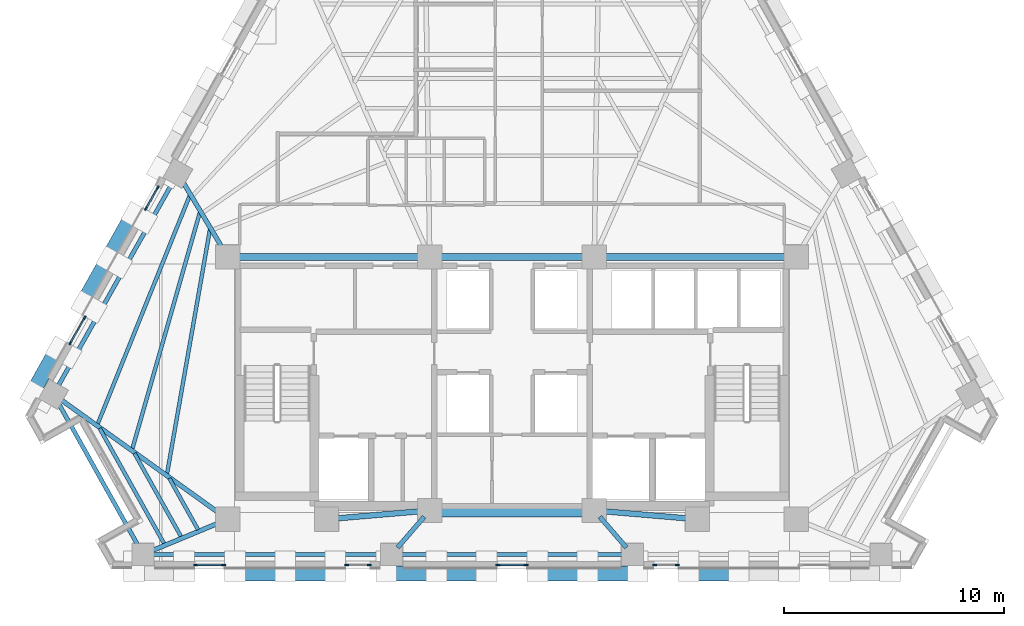
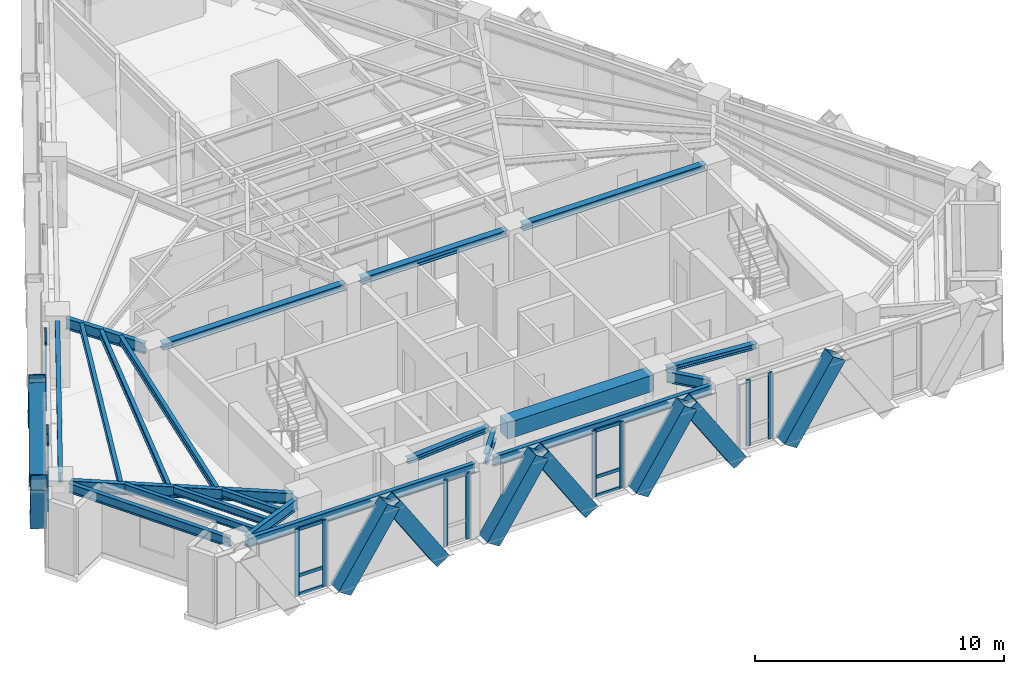
# One storey, part 2 of 13: 34 members, 21 beams, 6 elements without a shape of their own.
"""IFC4 building model written with IfcOpenShell, lengths in metres."""

from ifc_helpers import new_model, si_unit, direction, frame, origin, origin_2d, place, context, subcontext, project, spatial, rectangle, hollow_rectangle, i_section, extrude, material, material_profile, profile_set, type_object, element, aggregate, save


model = new_model("IFC4")

# Units and contexts
model_context = context("Model", 3, precision=1e-05, world=origin(), true_north=direction((0.0, 1.0)))
body_context = subcontext(model_context, "Body", "Model", "MODEL_VIEW")
ifc_project = project(units=[si_unit("LENGTHUNIT", "METRE"), si_unit("AREAUNIT", "SQUARE_METRE"), si_unit("VOLUMEUNIT", "CUBIC_METRE"), si_unit("PLANEANGLEUNIT", "RADIAN"), si_unit("MASSUNIT", "GRAM", prefix="KILO")], contexts=[model_context])

# Site, building, storey
site_placement = place(None, origin())
site = spatial("IfcSite", under=ifc_project, at=site_placement, CompositionType="ELEMENT")
building_placement = place(site_placement, origin())
building = spatial("IfcBuilding", under=site, at=building_placement, Name="Quenlor Broadcast Tower", CompositionType="ELEMENT")
storey_placement = place(building_placement, frame((0.0, 0.0, 147.5)))
storey = spatial("IfcBuildingStorey", under=building, at=storey_placement, Name="L40", CompositionType="ELEMENT", Elevation=147.5)

# Curtain wall, members
ifc_material_1 = material(Name="Architectural Terracotta and Low-E Glazing", Category="masonry")
curtain_wall_type = type_object("IfcCurtainWallType", Name="Unitised Terracotta Curtain Wall System Z3", PredefinedType="NOTDEFINED", material=ifc_material_1)
curtain_wall_1_placement = place(storey_placement, origin())
curtain_wall_1 = element("IfcCurtainWall", 1, at=curtain_wall_1_placement, inside=storey, type_object=curtain_wall_type, Name="L40 Curtain Wall CW3 (L40-SA-G2)", PredefinedType="NOTDEFINED")
ifc_material_2 = material(Name="Aluminium 6063-T6", Category="aluminium")
ifc_material_profile_1 = material_profile(ifc_material_2, rectangle(XDim=0.070068359375, YDim=0.18994140625, at=origin_2d()))
ifc_profile_set_1 = profile_set([ifc_material_profile_1], Name="Aluminium 6063-T6 MULL70x190")
member_type_1 = type_object("IfcMemberType", Name="CW3 Aluminium Mullion MULL_CW3", PredefinedType="MULLION", material=ifc_profile_set_1)
member_1_placement = place(storey_placement, frame((7.52197265625, -18.824951171875, 0.0), z_axis=(0.0, 0.0, 1.0), x_axis=(0.0, -1.0, 0.0)))
member_1 = element("IfcMember", 2, at=member_1_placement, type_object=member_type_1, Name="CW3 mullion 1", PredefinedType="MULLION", context=body_context, shape_type="SweptSolid", body=[
    extrude(rectangle(XDim=0.070068359375, YDim=0.18994140625, at=origin_2d()), origin(), (0.0, 0.0, 1.0), 3.25),
])
member_2_placement = place(storey_placement, frame((6.5009765625, -18.824951171875, 0.0), z_axis=(0.0, 0.0, 1.0), x_axis=(0.0, -1.0, 0.0)))
member_2 = element("IfcMember", 3, at=member_2_placement, type_object=member_type_1, Name="CW3 mullion 2", PredefinedType="MULLION", context=body_context, shape_type="SweptSolid", body=[
    extrude(rectangle(XDim=0.070068359375, YDim=0.18994140625, at=origin_2d()), origin(), (0.0, 0.0, 1.0), 3.25),
])
aggregate(curtain_wall_1, [member_1, member_2])

curtain_wall_2_placement = place(storey_placement, origin())
curtain_wall_2 = element("IfcCurtainWall", 4, at=curtain_wall_2_placement, inside=storey, type_object=curtain_wall_type, Name="L40 Curtain Wall CW3 (L40-SC-G1)", PredefinedType="NOTDEFINED")
member_3_placement = place(storey_placement, frame((-6.5009765625, -18.824951171875, 0.0), z_axis=(0.0, 0.0, 1.0), x_axis=(0.0, -1.0, 0.0)))
member_3 = element("IfcMember", 5, at=member_3_placement, type_object=member_type_1, Name="CW3 mullion 1", PredefinedType="MULLION", context=body_context, shape_type="SweptSolid", body=[
    extrude(rectangle(XDim=0.070068359375, YDim=0.18994140625, at=origin_2d()), origin(), (0.0, 0.0, 1.0), 3.25),
])
member_4_placement = place(storey_placement, frame((-7.52197265625, -18.824951171875, 0.0), z_axis=(0.0, 0.0, 1.0), x_axis=(0.0, -1.0, 0.0)))
member_4 = element("IfcMember", 6, at=member_4_placement, type_object=member_type_1, Name="CW3 mullion 2", PredefinedType="MULLION", context=body_context, shape_type="SweptSolid", body=[
    extrude(rectangle(XDim=0.070068359375, YDim=0.18994140625, at=origin_2d()), origin(), (0.0, 0.0, 1.0), 3.25),
])
aggregate(curtain_wall_2, [member_3, member_4])

curtain_wall_3_placement = place(storey_placement, origin())
curtain_wall_3 = element("IfcCurtainWall", 7, at=curtain_wall_3_placement, inside=storey, type_object=curtain_wall_type, Name="L40 Curtain Wall CW3 (L40-SC-G2)", PredefinedType="NOTDEFINED")
member_5_placement = place(storey_placement, frame((-13.14208984375, -18.824951171875, 0.0), z_axis=(0.0, 0.0, 1.0), x_axis=(0.0, -1.0, 0.0)))
member_5 = element("IfcMember", 8, at=member_5_placement, type_object=member_type_1, Name="CW3 mullion 1", PredefinedType="MULLION", context=body_context, shape_type="SweptSolid", body=[
    extrude(rectangle(XDim=0.070068359375, YDim=0.18994140625, at=origin_2d()), origin(), (0.0, 0.0, 1.0), 3.25),
])
member_6_placement = place(storey_placement, frame((-14.409912109375, -18.824951171875, 0.0), z_axis=(0.0, 0.0, 1.0), x_axis=(0.0, -1.0, 0.0)))
member_6 = element("IfcMember", 9, at=member_6_placement, type_object=member_type_1, Name="CW3 mullion 2", PredefinedType="MULLION", context=body_context, shape_type="SweptSolid", body=[
    extrude(rectangle(XDim=0.070068359375, YDim=0.18994140625, at=origin_2d()), origin(), (0.0, 0.0, 1.0), 3.25),
])

curtain_wall_4_placement = place(storey_placement, origin())
curtain_wall_4 = element("IfcCurtainWall", 10, at=curtain_wall_4_placement, inside=storey, type_object=curtain_wall_type, Name="L40 Curtain Wall CW3 (L40-S-G1)", PredefinedType="NOTDEFINED")
member_7_placement = place(storey_placement, frame((0.634033203125, -18.824951171875, 0.0), z_axis=(0.0, 0.0, 1.0), x_axis=(0.0, -1.0, 0.0)))
member_7 = element("IfcMember", 11, at=member_7_placement, type_object=member_type_1, Name="CW3 mullion 1", PredefinedType="MULLION", context=body_context, shape_type="SweptSolid", body=[
    extrude(rectangle(XDim=0.070068359375, YDim=0.18994140625, at=origin_2d()), origin(), (0.0, 0.0, 1.0), 3.25),
])
member_8_placement = place(storey_placement, frame((-0.634033203125, -18.824951171875, 0.0), z_axis=(0.0, 0.0, 1.0), x_axis=(0.0, -1.0, 0.0)))
member_8 = element("IfcMember", 12, at=member_8_placement, type_object=member_type_1, Name="CW3 mullion 2", PredefinedType="MULLION", context=body_context, shape_type="SweptSolid", body=[
    extrude(rectangle(XDim=0.070068359375, YDim=0.18994140625, at=origin_2d()), origin(), (0.0, 0.0, 1.0), 3.25),
])

curtain_wall_5_placement = place(storey_placement, origin())
curtain_wall_5 = element("IfcCurtainWall", 13, at=curtain_wall_5_placement, inside=storey, type_object=curtain_wall_type, Name="L40 Curtain Wall CW3 (L40-NWA-G1)", PredefinedType="NOTDEFINED")
member_9_placement = place(storey_placement, frame((-20.1171875, -8.720703125, 0.0), z_axis=(0.0, 0.0, 1.0), x_axis=(-0.871575537123, 0.490261239636, 0.0)))
member_9 = element("IfcMember", 14, at=member_9_placement, type_object=member_type_1, Name="CW3 mullion 1", PredefinedType="MULLION", context=body_context, shape_type="SweptSolid", body=[
    extrude(rectangle(XDim=0.070068359375, YDim=0.18994140625, at=origin_2d()), origin(), (0.0, 0.0, 1.0), 3.25),
])
member_10_placement = place(storey_placement, frame((-19.47021484375, -7.570556640625, 0.0), z_axis=(0.0, 0.0, 1.0), x_axis=(-0.871575537123, 0.490261239636, 0.0)))
member_10 = element("IfcMember", 15, at=member_10_placement, type_object=member_type_1, Name="CW3 mullion 2", PredefinedType="MULLION", context=body_context, shape_type="SweptSolid", body=[
    extrude(rectangle(XDim=0.070068359375, YDim=0.18994140625, at=origin_2d()), origin(), (0.0, 0.0, 1.0), 3.25),
])

curtain_wall_6_placement = place(storey_placement, origin())
curtain_wall_6 = element("IfcCurtainWall", 16, at=curtain_wall_6_placement, inside=storey, type_object=curtain_wall_type, Name="L40 Curtain Wall CW3 (L40-NWA-G2)", PredefinedType="NOTDEFINED")
member_11_placement = place(storey_placement, frame((-16.6689453125, -2.5908203125, 0.0), z_axis=(0.0, 0.0, 1.0), x_axis=(-0.871580169247, 0.490253004657, 0.0)))
member_11 = element("IfcMember", 17, at=member_11_placement, type_object=member_type_1, Name="CW3 mullion 1", PredefinedType="MULLION", context=body_context, shape_type="SweptSolid", body=[
    extrude(rectangle(XDim=0.070068359375, YDim=0.18994140625, at=origin_2d()), origin(), (0.0, 0.0, 1.0), 3.25),
])
member_12_placement = place(storey_placement, frame((-16.137939453125, -1.646728515625, 0.0), z_axis=(0.0, 0.0, 1.0), x_axis=(-0.871580169247, 0.490253004657, 0.0)))
member_12 = element("IfcMember", 18, at=member_12_placement, type_object=member_type_1, Name="CW3 mullion 2", PredefinedType="MULLION", context=body_context, shape_type="SweptSolid", body=[
    extrude(rectangle(XDim=0.070068359375, YDim=0.18994140625, at=origin_2d()), origin(), (0.0, 0.0, 1.0), 3.25),
])

# Member
ifc_material_3 = material(Name="Aluminium 6063-T6", Category="aluminium")
ifc_material_profile_2 = material_profile(ifc_material_3, rectangle(XDim=0.070068359375, YDim=0.155029296875, at=origin_2d()))
ifc_profile_set_2 = profile_set([ifc_material_profile_2], Name="Aluminium 6063-T6 TRAN70x155")
member_type_2 = type_object("IfcMemberType", Name="CW3 Aluminium Transom TRAN_CW3", PredefinedType="USERDEFINED", material=ifc_profile_set_2)
member_13_placement = place(storey_placement, frame((-13.177001953125, -18.824951171875, 0.034912109375), z_axis=(-1.0, 0.0, 0.0), x_axis=(0.0, -1.0, 0.0)))
member_13 = element("IfcMember", 19, at=member_13_placement, type_object=member_type_2, Name="CW3 transom 1.1", ObjectType="TRANSOM", PredefinedType="USERDEFINED", context=body_context, shape_type="SweptSolid", body=[
    extrude(rectangle(XDim=0.070068359375, YDim=0.155029296875, at=origin_2d()), origin(), (0.0, 0.0, 1.0), 1.197998046875),
])

member_14_placement = place(storey_placement, frame((-13.177001953125, -18.824951171875, 0.949951171875), z_axis=(-1.0, 0.0, 0.0), x_axis=(0.0, -1.0, 0.0)))
member_14 = element("IfcMember", 20, at=member_14_placement, type_object=member_type_2, Name="CW3 transom 1.2", ObjectType="TRANSOM", PredefinedType="USERDEFINED", context=body_context, shape_type="SweptSolid", body=[
    extrude(rectangle(XDim=0.070068359375, YDim=0.155029296875, at=origin_2d()), origin(), (0.0, 0.0, 1.0), 1.197998046875),
])

member_15_placement = place(storey_placement, frame((-13.177001953125, -18.824951171875, 3.215087890625), z_axis=(-1.0, 0.0, 0.0), x_axis=(0.0, -1.0, 0.0)))
member_15 = element("IfcMember", 21, at=member_15_placement, type_object=member_type_2, Name="CW3 transom 1.3", ObjectType="TRANSOM", PredefinedType="USERDEFINED", context=body_context, shape_type="SweptSolid", body=[
    extrude(rectangle(XDim=0.070068359375, YDim=0.155029296875, at=origin_2d()), origin(), (0.0, 0.0, 1.0), 1.197998046875),
])

aggregate(curtain_wall_3, [member_5, member_6, member_13, member_14, member_15])

member_16_placement = place(storey_placement, frame((0.59912109375, -18.824951171875, 0.034912109375), z_axis=(-1.0, 0.0, 0.0), x_axis=(0.0, -1.0, 0.0)))
member_16 = element("IfcMember", 22, at=member_16_placement, type_object=member_type_2, Name="CW3 transom 1.1", ObjectType="TRANSOM", PredefinedType="USERDEFINED", context=body_context, shape_type="SweptSolid", body=[
    extrude(rectangle(XDim=0.070068359375, YDim=0.155029296875, at=origin_2d()), origin(), (0.0, 0.0, 1.0), 1.1982421875),
])

member_17_placement = place(storey_placement, frame((0.59912109375, -18.824951171875, 0.949951171875), z_axis=(-1.0, 0.0, 0.0), x_axis=(0.0, -1.0, 0.0)))
member_17 = element("IfcMember", 23, at=member_17_placement, type_object=member_type_2, Name="CW3 transom 1.2", ObjectType="TRANSOM", PredefinedType="USERDEFINED", context=body_context, shape_type="SweptSolid", body=[
    extrude(rectangle(XDim=0.070068359375, YDim=0.155029296875, at=origin_2d()), origin(), (0.0, 0.0, 1.0), 1.1982421875),
])

member_18_placement = place(storey_placement, frame((0.59912109375, -18.824951171875, 3.215087890625), z_axis=(-1.0, 0.0, 0.0), x_axis=(0.0, -1.0, 0.0)))
member_18 = element("IfcMember", 24, at=member_18_placement, type_object=member_type_2, Name="CW3 transom 1.3", ObjectType="TRANSOM", PredefinedType="USERDEFINED", context=body_context, shape_type="SweptSolid", body=[
    extrude(rectangle(XDim=0.070068359375, YDim=0.155029296875, at=origin_2d()), origin(), (0.0, 0.0, 1.0), 1.1982421875),
])

aggregate(curtain_wall_4, [member_7, member_8, member_16, member_17, member_18])

member_19_placement = place(storey_placement, frame((-20.10009765625, -8.690185546875, 0.034912109375), z_axis=(0.490363266059, 0.871518139398, 0.0), x_axis=(-0.871518139398, 0.490363266059, 0.0)))
member_19 = element("IfcMember", 25, at=member_19_placement, type_object=member_type_2, Name="CW3 transom 1.1", ObjectType="TRANSOM", PredefinedType="USERDEFINED", context=body_context, shape_type="SweptSolid", body=[
    extrude(rectangle(XDim=0.070068359375, YDim=0.155029296875, at=origin_2d()), origin(), (0.0, 0.0, 1.0), 1.249755859375),
])

member_20_placement = place(storey_placement, frame((-20.10009765625, -8.690185546875, 0.949951171875), z_axis=(0.490363266059, 0.871518139398, 0.0), x_axis=(-0.871518139398, 0.490363266059, 0.0)))
member_20 = element("IfcMember", 26, at=member_20_placement, type_object=member_type_2, Name="CW3 transom 1.2", ObjectType="TRANSOM", PredefinedType="USERDEFINED", context=body_context, shape_type="SweptSolid", body=[
    extrude(rectangle(XDim=0.070068359375, YDim=0.155029296875, at=origin_2d()), origin(), (0.0, 0.0, 1.0), 1.249755859375),
])

member_21_placement = place(storey_placement, frame((-20.10009765625, -8.690185546875, 3.215087890625), z_axis=(0.490363266059, 0.871518139398, 0.0), x_axis=(-0.871518139398, 0.490363266059, 0.0)))
member_21 = element("IfcMember", 27, at=member_21_placement, type_object=member_type_2, Name="CW3 transom 1.3", ObjectType="TRANSOM", PredefinedType="USERDEFINED", context=body_context, shape_type="SweptSolid", body=[
    extrude(rectangle(XDim=0.070068359375, YDim=0.155029296875, at=origin_2d()), origin(), (0.0, 0.0, 1.0), 1.249755859375),
])

aggregate(curtain_wall_5, [member_9, member_10, member_19, member_20, member_21])

member_22_placement = place(storey_placement, frame((-16.65185546875, -2.560302734375, 0.034912109375), z_axis=(0.49015826449, 0.871633452635, 0.0), x_axis=(-0.871633452635, 0.49015826449, 0.0)))
member_22 = element("IfcMember", 28, at=member_22_placement, type_object=member_type_2, Name="CW3 transom 1.1", ObjectType="TRANSOM", PredefinedType="USERDEFINED", context=body_context, shape_type="SweptSolid", body=[
    extrude(rectangle(XDim=0.070068359375, YDim=0.155029296875, at=origin_2d()), origin(), (0.0, 0.0, 1.0), 1.01318359375),
])

member_23_placement = place(storey_placement, frame((-16.65185546875, -2.560302734375, 0.949951171875), z_axis=(0.49015826449, 0.871633452635, 0.0), x_axis=(-0.871633452635, 0.49015826449, 0.0)))
member_23 = element("IfcMember", 29, at=member_23_placement, type_object=member_type_2, Name="CW3 transom 1.2", ObjectType="TRANSOM", PredefinedType="USERDEFINED", context=body_context, shape_type="SweptSolid", body=[
    extrude(rectangle(XDim=0.070068359375, YDim=0.155029296875, at=origin_2d()), origin(), (0.0, 0.0, 1.0), 1.01318359375),
])

member_24_placement = place(storey_placement, frame((-16.65185546875, -2.560302734375, 3.215087890625), z_axis=(0.49015826449, 0.871633452635, 0.0), x_axis=(-0.871633452635, 0.49015826449, 0.0)))
member_24 = element("IfcMember", 30, at=member_24_placement, type_object=member_type_2, Name="CW3 transom 1.3", ObjectType="TRANSOM", PredefinedType="USERDEFINED", context=body_context, shape_type="SweptSolid", body=[
    extrude(rectangle(XDim=0.070068359375, YDim=0.155029296875, at=origin_2d()), origin(), (0.0, 0.0, 1.0), 1.01318359375),
])

aggregate(curtain_wall_6, [member_11, member_12, member_22, member_23, member_24])

# Beams
ifc_material_4 = material(Name="Concrete C50/60", Category="concrete")
ifc_material_profile_3 = material_profile(ifc_material_4, rectangle(XDim=0.60009765625, YDim=0.800048828125, at=origin_2d()))
ifc_profile_set_3 = profile_set([ifc_material_profile_3], Name="Concrete C50/60 RCB600x800")
beam_type_1 = type_object("IfcBeamType", Name="Core Coupling Beam Concrete C50/60 600x800", PredefinedType="BEAM", material=ifc_profile_set_3)
beam_1_placement = place(storey_placement, frame((-3.389892578125, -16.35009765625, 2.85009765625), z_axis=(1.0, 0.0, 0.0), x_axis=(0.0, 1.0, 0.0)))
element("IfcBeam", 31, at=beam_1_placement, inside=storey, type_object=beam_type_1, Name="L40 Core Coupling Beam 6", PredefinedType="BEAM", context=body_context, shape_type="SweptSolid", body=[
    extrude(rectangle(XDim=0.60009765625, YDim=0.800048828125, at=origin_2d()), origin(), (0.0, 0.0, 1.0), 6.77978515625),
])
ifc_material_5 = material(Name="Steel S355", Category="steel")
ifc_material_profile_4 = material_profile(ifc_material_5, i_section(OverallWidth=0.304931640625, OverallDepth=0.30810546875, WebThickness=0.010009765625, FlangeThickness=0.015380859375, FilletRadius=0.0166015625, at=origin_2d()))
ifc_profile_set_4 = profile_set([ifc_material_profile_4], Name="Steel S355 310UC96.8")
beam_type_2 = type_object("IfcBeamType", Name="Core Header Beam Steel S355 310UC96.8", PredefinedType="BEAM", material=ifc_profile_set_4)
beam_2_placement = place(storey_placement, frame((-3.389892578125, -4.800048828125, 3.095947265625), z_axis=(1.0, 0.0, 0.0), x_axis=(0.0, 1.0, 0.0)))
element("IfcBeam", 32, at=beam_2_placement, inside=storey, type_object=beam_type_2, Name="L40 Core Header Beam 2", PredefinedType="BEAM", context=body_context, shape_type="SweptSolid", body=[
    extrude(i_section(OverallWidth=0.304931640625, OverallDepth=0.30810546875, WebThickness=0.010009765625, FlangeThickness=0.015380859375, FilletRadius=0.0166015625, at=origin_2d()), origin(), (0.0, 0.0, 1.0), 6.77978515625),
])
ifc_material_6 = material(Name="Steel S355", Category="steel")
ifc_material_profile_5 = material_profile(ifc_material_6, i_section(OverallWidth=0.25390625, OverallDepth=0.25390625, WebThickness=0.008544921875, FlangeThickness=0.01416015625, FilletRadius=0.013916015625, at=origin_2d()))
ifc_profile_set_5 = profile_set([ifc_material_profile_5], Name="Steel S355 250UC72.9")
beam_type_3 = type_object("IfcBeamType", Name="Core Opening Lintel Beam Steel S355 250UC72.9", PredefinedType="LINTEL", material=ifc_profile_set_5)
for number, where, z_axis, x_axis, name in (
    (33, (-8.09130859375, -16.719482421875, 3.123046875), (0.996399763903, 0.084779186679, 0.0), (-0.084779186679, 0.996399763903, 0.0), "L40 Core Opening Lintel Beam 4"),
    (34, (4.108642578125, -16.380615234375, 3.123046875), (0.996399763903, -0.084779186679, 0.0), (0.084779186679, 0.996399763903, 0.0), "L40 Core Opening Lintel Beam 5"),
):
    element("IfcBeam", number, at=place(storey_placement, frame(where, z_axis=z_axis, x_axis=x_axis)), inside=storey, type_object=beam_type_3, Name=name, PredefinedType="LINTEL", context=body_context, shape_type="SweptSolid", body=[
        extrude(i_section(OverallWidth=0.25390625, OverallDepth=0.25390625, WebThickness=0.008544921875, FlangeThickness=0.01416015625, FilletRadius=0.013916015625, at=origin_2d()), origin(), (0.0, 0.0, 1.0), 3.9970703125),
    ])
ifc_material_7 = material(Name="Steel S355", Category="steel")
ifc_material_profile_6 = material_profile(ifc_material_7, i_section(OverallWidth=0.306884765625, OverallDepth=0.314697265625, WebThickness=0.011962890625, FlangeThickness=0.018798828125, FilletRadius=0.0166015625, at=origin_2d()))
ifc_profile_set_6 = profile_set([ifc_material_profile_6], Name="Steel S355 310UC118")
beam_type_4 = type_object("IfcBeamType", Name="Core Tie Beam Steel S355 310UC118", PredefinedType="BEAM", material=ifc_profile_set_6)
for number, where, z_axis, x_axis, name in (
    (35, (-12.590087890625, -4.800048828125, 3.0927734375), (1.0, 0.0, 0.0), (0.0, 1.0, 0.0), "L40 Core Tie Beam 1"),
    (36, (4.110107421875, -4.800048828125, 3.0927734375), (1.0, 0.0, 0.0), (0.0, 1.0, 0.0), "L40 Core Tie Beam 3"),
):
    element("IfcBeam", number, at=place(storey_placement, frame(where, z_axis=z_axis, x_axis=x_axis)), inside=storey, type_object=beam_type_4, Name=name, PredefinedType="BEAM", context=body_context, shape_type="SweptSolid", body=[
        extrude(i_section(OverallWidth=0.306884765625, OverallDepth=0.314697265625, WebThickness=0.011962890625, FlangeThickness=0.018798828125, FilletRadius=0.0166015625, at=origin_2d()), origin(), (0.0, 0.0, 1.0), 8.47998046875),
    ])

# Members
ifc_material_8 = material(Name="Steel S355", Category="steel")
ifc_material_profile_7 = material_profile(ifc_material_8, hollow_rectangle(XDim=0.679931640625, YDim=0.679931640625, WallThickness=0.02490234375, at=origin_2d()))
ifc_profile_set_7 = profile_set([ifc_material_profile_7], Name="Steel S355 RHS680x680x25")
member_type_3 = type_object("IfcMemberType", Name="Perimeter Diagonal Lattice Brace Z3-Z4 Steel S355 RHS680x25", PredefinedType="BRACE", material=ifc_profile_set_7)
member_25_placement = place(storey_placement, frame((5.726318359375, -19.219970703125, -0.1201171875), z_axis=(-0.543901560697, 0.0, 0.839149028643), x_axis=(0.0, -1.0, 0.0)))
element("IfcMember", 37, at=member_25_placement, inside=storey, type_object=member_type_3, Name="L40 Perimeter Diamond Lattice S-C2S", PredefinedType="BRACE", context=body_context, shape_type="SweptSolid", body=[
    extrude(hollow_rectangle(XDim=0.679931640625, YDim=0.679931640625, WallThickness=0.02490234375, at=origin_2d()), origin(), (0.0, 0.0, 1.0), 4.1708984375),
])
for number, where, z_axis, x_axis, name in (
    (38, (8.0498046875, -19.219970703125, -0.1201171875), (0.543860340502, 0.0, 0.839175744424), (0.0, 1.0, 0.0), "L40 Perimeter Diamond Lattice S-C2B"),
    (39, (-1.161865234375, -19.219970703125, -0.1201171875), (-0.543860340502, 0.0, 0.839175744424), (0.0, -1.0, 0.0), "L40 Perimeter Diamond Lattice S-C3S"),
    (40, (1.161865234375, -19.219970703125, -0.1201171875), (0.543860340502, 0.0, 0.839175744424), (0.0, 1.0, 0.0), "L40 Perimeter Diamond Lattice S-C3B"),
    (41, (-8.0498046875, -19.219970703125, -0.1201171875), (-0.543860340502, 0.0, 0.839175744424), (0.0, -1.0, 0.0), "L40 Perimeter Diamond Lattice S-C4S"),
):
    element("IfcMember", number, at=place(storey_placement, frame(where, z_axis=z_axis, x_axis=x_axis)), inside=storey, type_object=member_type_3, Name=name, PredefinedType="BRACE", context=body_context, shape_type="SweptSolid", body=[
        extrude(hollow_rectangle(XDim=0.679931640625, YDim=0.679931640625, WallThickness=0.02490234375, at=origin_2d()), origin(), (0.0, 0.0, 1.0), 4.170654296875),
    ])
for number, where, z_axis, x_axis, name in (
    (42, (-5.726318359375, -19.219970703125, -0.1201171875), (0.543901560697, 0.0, 0.839149028643), (0.0, 1.0, 0.0), "L40 Perimeter Diamond Lattice S-C4B"),
    (43, (-12.6142578125, -19.219970703125, -0.1201171875), (0.543901560697, 0.0, 0.839149028643), (0.0, 1.0, 0.0), "L40 Perimeter Diamond Lattice S-C5B"),
):
    element("IfcMember", number, at=place(storey_placement, frame(where, z_axis=z_axis, x_axis=x_axis)), inside=storey, type_object=member_type_3, Name=name, PredefinedType="BRACE", context=body_context, shape_type="SweptSolid", body=[
        extrude(hollow_rectangle(XDim=0.679931640625, YDim=0.679931640625, WallThickness=0.02490234375, at=origin_2d()), origin(), (0.0, 0.0, 1.0), 4.1708984375),
    ])
for number, where, z_axis, x_axis, name in (
    (44, (-19.556396484375, -6.918212890625, -0.1201171875), (0.2705491942, 0.481008661973, 0.833926735766), (-0.871589611547, 0.490236217596, 0.0), "L40 Perimeter Diamond Lattice NW-C1S"),
    (45, (-20.719482421875, -8.98583984375, -0.1201171875), (-0.2705491942, -0.481008661973, 0.833926735766), (0.871589611547, -0.490236217596, 0.0), "L40 Perimeter Diamond Lattice NW-C1B"),
    (46, (-17.271484375, -2.85595703125, -0.1201171875), (-0.2705491942, -0.481008661973, 0.833926735766), (0.871589611547, -0.490236217596, 0.0), "L40 Perimeter Diamond Lattice NW-C2B"),
):
    element("IfcMember", number, at=place(storey_placement, frame(where, z_axis=z_axis, x_axis=x_axis)), inside=storey, type_object=member_type_3, Name=name, PredefinedType="BRACE", context=body_context, shape_type="SweptSolid", body=[
        extrude(hollow_rectangle(XDim=0.679931640625, YDim=0.679931640625, WallThickness=0.02490234375, at=origin_2d()), origin(), (0.0, 0.0, 1.0), 4.197021484375),
    ])

# Beams
ifc_material_9 = material(Name="Steel S355", Category="steel")
ifc_material_profile_8 = material_profile(ifc_material_9, i_section(OverallWidth=0.19091796875, OverallDepth=0.46044921875, WebThickness=0.010009765625, FlangeThickness=0.01611328125, FilletRadius=0.011474609375, at=origin_2d()))
ifc_profile_set_8 = profile_set([ifc_material_profile_8], Name="Steel S355 460UB82.1")
beam_type_5 = type_object("IfcBeamType", Name="Perimeter Spandrel Beam Z3 Steel S355 460UB82.1", PredefinedType="SPANDREL", material=ifc_profile_set_8)
beam_3_placement = place(storey_placement, frame((-16.3984375, -18.35009765625, 3.019775390625), z_axis=(1.0, 0.0, 0.0), x_axis=(0.0, 1.0, 0.0)))
element("IfcBeam", 47, at=beam_3_placement, inside=storey, type_object=beam_type_5, Name="L40 Spandrel Beam S1-S2", PredefinedType="SPANDREL", context=body_context, shape_type="SweptSolid", body=[
    extrude(i_section(OverallWidth=0.19091796875, OverallDepth=0.46044921875, WebThickness=0.010009765625, FlangeThickness=0.01611328125, FilletRadius=0.011474609375, at=origin_2d()), origin(), (0.0, 0.0, 1.0), 10.50732421875),
])
beam_4_placement = place(storey_placement, frame((-5.071044921875, -18.35009765625, 3.019775390625), z_axis=(1.0, 0.0, 0.0), x_axis=(0.0, 1.0, 0.0)))
element("IfcBeam", 48, at=beam_4_placement, inside=storey, type_object=beam_type_5, Name="L40 Spandrel Beam S2-S3", PredefinedType="SPANDREL", context=body_context, shape_type="SweptSolid", body=[
    extrude(i_section(OverallWidth=0.19091796875, OverallDepth=0.46044921875, WebThickness=0.010009765625, FlangeThickness=0.01611328125, FilletRadius=0.011474609375, at=origin_2d()), origin(), (0.0, 0.0, 1.0), 10.14208984375),
])
beam_5_placement = place(storey_placement, frame((-15.425048828125, -1.347900390625, 3.019775390625), z_axis=(-0.490257999604, -0.871577359633, 0.0), x_axis=(0.871577359633, -0.490257999604, 0.0)))
element("IfcBeam", 49, at=beam_5_placement, inside=storey, type_object=beam_type_5, Name="L40 Spandrel Beam NW3-NW4", PredefinedType="SPANDREL", context=body_context, shape_type="SweptSolid", body=[
    extrude(i_section(OverallWidth=0.19091796875, OverallDepth=0.46044921875, WebThickness=0.010009765625, FlangeThickness=0.01611328125, FilletRadius=0.011474609375, at=origin_2d()), origin(), (0.0, 0.0, 1.0), 10.732666015625),
])
beam_6_placement = place(storey_placement, frame((-20.6875, -11.417236328125, 3.019775390625), z_axis=(0.488298439934, -0.872676706208, 0.0), x_axis=(0.872676706208, 0.488298439934, 0.0)))
element("IfcBeam", 50, at=beam_6_placement, inside=storey, type_object=beam_type_5, Name="L40 Spandrel Beam NW4-S1", PredefinedType="SPANDREL", context=body_context, shape_type="SweptSolid", body=[
    extrude(i_section(OverallWidth=0.19091796875, OverallDepth=0.46044921875, WebThickness=0.010009765625, FlangeThickness=0.01611328125, FilletRadius=0.011474609375, at=origin_2d()), origin(), (0.0, 0.0, 1.0), 7.5341796875),
])
ifc_material_10 = material(Name="Steel S355", Category="steel")
ifc_material_profile_9 = material_profile(ifc_material_10, i_section(OverallWidth=0.172119140625, OverallDepth=0.358642578125, WebThickness=0.008056640625, FlangeThickness=0.012939453125, FilletRadius=0.011474609375, at=origin_2d()))
ifc_profile_set_9 = profile_set([ifc_material_profile_9], Name="Steel S355 360UB56.7")
beam_type_6 = type_object("IfcBeamType", Name="Tower Composite Joist Z2-Z3 Steel S355 360UB56.7", PredefinedType="JOIST", material=ifc_profile_set_9)
beam_7_placement = place(storey_placement, frame((-15.71435546875, -14.679443359375, 3.07080078125), z_axis=(0.172906811417, 0.984938188195, 0.0), x_axis=(-0.984938188195, 0.172906811417, 0.0)))
element("IfcBeam", 51, at=beam_7_placement, inside=storey, type_object=beam_type_6, Name="L40 Secondary Composite Joist 13", PredefinedType="JOIST", context=body_context, shape_type="SweptSolid", body=[
    extrude(i_section(OverallWidth=0.172119140625, OverallDepth=0.358642578125, WebThickness=0.008056640625, FlangeThickness=0.012939453125, FilletRadius=0.011474609375, at=origin_2d()), origin(), (0.0, 0.0, 1.0), 11.30419921875),
])
beam_8_placement = place(storey_placement, frame((-17.293701171875, -13.543212890625, 3.07080078125), z_axis=(0.274418577045, 0.961610339261, 0.0), x_axis=(-0.961610339261, 0.274418577045, 0.0)))
element("IfcBeam", 52, at=beam_8_placement, inside=storey, type_object=beam_type_6, Name="L40 Secondary Composite Joist 14", PredefinedType="JOIST", context=body_context, shape_type="SweptSolid", body=[
    extrude(i_section(OverallWidth=0.172119140625, OverallDepth=0.358642578125, WebThickness=0.008056640625, FlangeThickness=0.012939453125, FilletRadius=0.011474609375, at=origin_2d()), origin(), (0.0, 0.0, 1.0), 11.191162109375),
])
beam_9_placement = place(storey_placement, frame((-18.873291015625, -12.407958984375, 3.07080078125), z_axis=(0.373824118901, 0.927499610851, 0.0), x_axis=(-0.927499610851, 0.373824118901, 0.0)))
element("IfcBeam", 53, at=beam_9_placement, inside=storey, type_object=beam_type_6, Name="L40 Secondary Composite Joist 15", PredefinedType="JOIST", context=body_context, shape_type="SweptSolid", body=[
    extrude(i_section(OverallWidth=0.172119140625, OverallDepth=0.358642578125, WebThickness=0.008056640625, FlangeThickness=0.012939453125, FilletRadius=0.011474609375, at=origin_2d()), origin(), (0.0, 0.0, 1.0), 11.203125),
])
beam_10_placement = place(storey_placement, frame((-14.30078125, -17.22412109375, 3.07080078125), z_axis=(-0.488370382241, 0.87263644764, 0.0), x_axis=(-0.87263644764, -0.488370382241, 0.0)))
element("IfcBeam", 54, at=beam_10_placement, inside=storey, type_object=beam_type_6, Name="L40 Secondary Composite Joist 19", PredefinedType="JOIST", context=body_context, shape_type="SweptSolid", body=[
    extrude(i_section(OverallWidth=0.172119140625, OverallDepth=0.358642578125, WebThickness=0.008056640625, FlangeThickness=0.012939453125, FilletRadius=0.011474609375, at=origin_2d()), origin(), (0.0, 0.0, 1.0), 2.680419921875),
])
beam_11_placement = place(storey_placement, frame((-15.072509765625, -17.544189453125, 3.07080078125), z_axis=(-0.488294103756, 0.872679132463, 0.0), x_axis=(-0.872679132463, -0.488294103756, 0.0)))
element("IfcBeam", 55, at=beam_11_placement, inside=storey, type_object=beam_type_6, Name="L40 Secondary Composite Joist 20", PredefinedType="JOIST", context=body_context, shape_type="SweptSolid", body=[
    extrude(i_section(OverallWidth=0.172119140625, OverallDepth=0.358642578125, WebThickness=0.008056640625, FlangeThickness=0.012939453125, FilletRadius=0.011474609375, at=origin_2d()), origin(), (0.0, 0.0, 1.0), 4.351318359375),
])
beam_12_placement = place(storey_placement, frame((-15.84423828125, -17.8642578125, 3.07080078125), z_axis=(-0.488308300212, 0.872671188905, 0.0), x_axis=(-0.872671188905, -0.488308300212, 0.0)))
element("IfcBeam", 56, at=beam_12_placement, inside=storey, type_object=beam_type_6, Name="L40 Secondary Composite Joist 21", PredefinedType="JOIST", context=body_context, shape_type="SweptSolid", body=[
    extrude(i_section(OverallWidth=0.172119140625, OverallDepth=0.358642578125, WebThickness=0.008056640625, FlangeThickness=0.012939453125, FilletRadius=0.011474609375, at=origin_2d()), origin(), (0.0, 0.0, 1.0), 6.022216796875),
])
ifc_material_11 = material(Name="Steel S355", Category="steel")
ifc_material_profile_10 = material_profile(ifc_material_11, i_section(OverallWidth=0.208984375, OverallDepth=0.532958984375, WebThickness=0.01025390625, FlangeThickness=0.015625, FilletRadius=0.013916015625, at=origin_2d()))
ifc_profile_set_10 = profile_set([ifc_material_profile_10], Name="Steel S355 530UB92.4")
beam_type_7 = type_object("IfcBeamType", Name="Tower Primary Floor Beam Z3 Steel S355 530UB92.4", PredefinedType="BEAM", material=ifc_profile_set_10)
beam_13_placement = place(storey_placement, frame((-16.4296875, -18.19287109375, 2.9833984375), z_axis=(0.923730294618, 0.383043525993, 0.0), x_axis=(-0.383043525993, 0.923730294618, 0.0)))
element("IfcBeam", 57, at=beam_13_placement, inside=storey, type_object=beam_type_7, Name="L40 Primary Radial Beam S1", PredefinedType="BEAM", context=body_context, shape_type="SweptSolid", body=[
    extrude(i_section(OverallWidth=0.208984375, OverallDepth=0.532958984375, WebThickness=0.01025390625, FlangeThickness=0.015625, FilletRadius=0.013916015625, at=origin_2d()), origin(), (0.0, 0.0, 1.0), 3.386962890625),
])
for number, where, z_axis, x_axis, name in (
    (58, (-5.212646484375, -18.0400390625, 2.9833984375), (0.654339118401, 0.75620124182, 0.0), (-0.75620124182, 0.654339118401, 0.0), "L40 Primary Radial Beam S2"),
    (59, (5.212646484375, -18.0400390625, 2.9833984375), (-0.654339118401, 0.75620124182, 0.0), (-0.75620124182, -0.654339118401, 0.0), "L40 Primary Radial Beam S3"),
):
    element("IfcBeam", number, at=place(storey_placement, frame(where, z_axis=z_axis, x_axis=x_axis)), inside=storey, type_object=beam_type_7, Name=name, PredefinedType="BEAM", context=body_context, shape_type="SweptSolid", body=[
        extrude(i_section(OverallWidth=0.208984375, OverallDepth=0.532958984375, WebThickness=0.01025390625, FlangeThickness=0.015625, FilletRadius=0.013916015625, at=origin_2d()), origin(), (0.0, 0.0, 1.0), 1.855224609375),
    ])
beam_14_placement = place(storey_placement, frame((-15.013916015625, -1.3427734375, 2.9833984375), z_axis=(0.512604023694, -0.858625130597, 0.0), x_axis=(0.858625130597, 0.512604023694, 0.0)))
element("IfcBeam", 60, at=beam_14_placement, inside=storey, type_object=beam_type_7, Name="L40 Primary Radial Beam NW3", PredefinedType="BEAM", context=body_context, shape_type="SweptSolid", body=[
    extrude(i_section(OverallWidth=0.208984375, OverallDepth=0.532958984375, WebThickness=0.01025390625, FlangeThickness=0.015625, FilletRadius=0.013916015625, at=origin_2d()), origin(), (0.0, 0.0, 1.0), 3.646484375),
])
beam_15_placement = place(storey_placement, frame((-20.554443359375, -11.29833984375, 2.9833984375), z_axis=(0.812728908832, -0.582642017666, 0.0), x_axis=(0.582642017666, 0.812728908832, 0.0)))
element("IfcBeam", 61, at=beam_15_placement, inside=storey, type_object=beam_type_7, Name="L40 Primary Radial Beam NW4", PredefinedType="BEAM", context=body_context, shape_type="SweptSolid", body=[
    extrude(i_section(OverallWidth=0.208984375, OverallDepth=0.532958984375, WebThickness=0.01025390625, FlangeThickness=0.015625, FilletRadius=0.013916015625, at=origin_2d()), origin(), (0.0, 0.0, 1.0), 8.976806640625),
])

save(model, "model.ifc")
